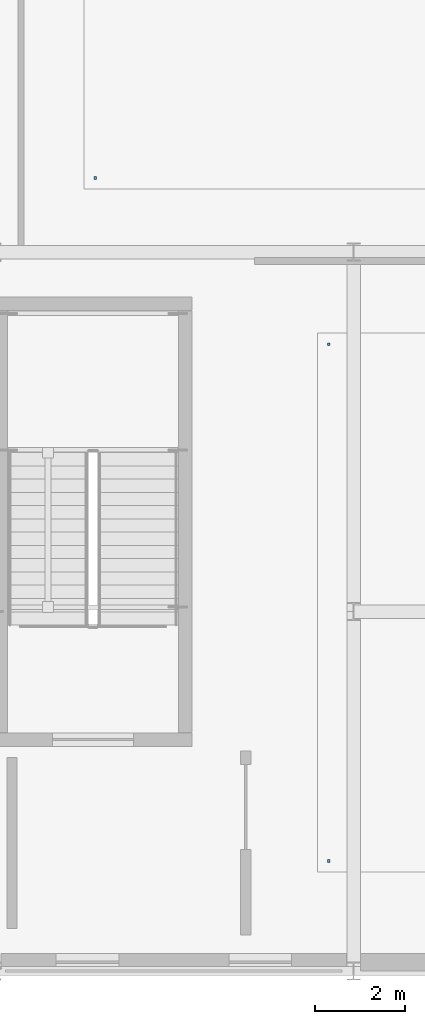
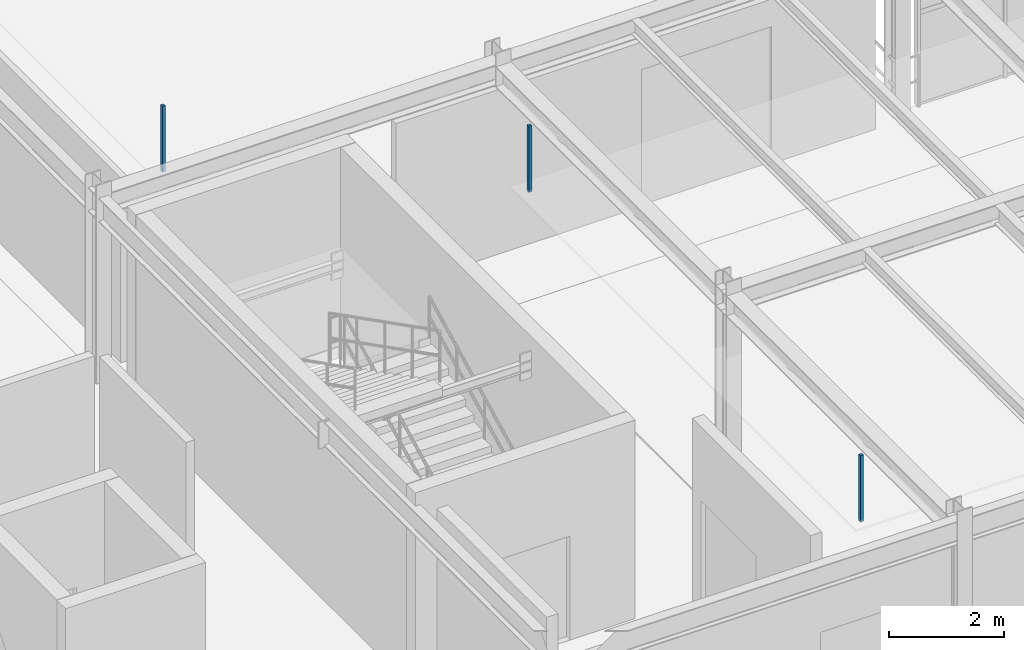
# One storey, part 47 of 67: 3 discrete accessories.
"""IFC4 building model written with IfcOpenShell, lengths in metres."""

from ifc_helpers import new_model, si_unit, direction, frame, origin, origin_2d, place, context, subcontext, project, spatial, rectangle, extrude, material, type_object, element, save


model = new_model("IFC4")

# Units and contexts
model_context = context("Model", 3, precision=1e-05, world=origin(), true_north=direction((0.0, 1.0)))
body_context = subcontext(model_context, "Body", "Model", "MODEL_VIEW")
ifc_project = project(units=[si_unit("LENGTHUNIT", "METRE"), si_unit("AREAUNIT", "SQUARE_METRE"), si_unit("VOLUMEUNIT", "CUBIC_METRE"), si_unit("PLANEANGLEUNIT", "RADIAN"), si_unit("MASSUNIT", "GRAM", prefix="KILO")], contexts=[model_context])

# Site, building, storey
site_placement = place(None, origin())
site = spatial("IfcSite", under=ifc_project, at=site_placement, CompositionType="ELEMENT")
building_placement = place(site_placement, origin())
building = spatial("IfcBuilding", under=site, at=building_placement, Name="Sundkrona Museum", CompositionType="ELEMENT")
storey_placement = place(building_placement, frame((0.0, 0.0, 21.800048828125)))
storey = spatial("IfcBuildingStorey", under=building, at=storey_placement, Name="L04", CompositionType="ELEMENT", Elevation=21.800048828125)

# Discrete accessories
ifc_material = material(Name="Stainless Steel EN 1.4404 Cleat", Category="steel")
discrete_accessory_type = type_object("IfcDiscreteAccessoryType", Name="BRK-FIN-01", PredefinedType="BRACKET", material=ifc_material)
for number, where, z_axis, x_axis, name in (
    (1, (127.449951171875, 2.449951171875, 2.550048828125), (0.0, 0.0, 1.0), (1.0, 0.0, 0.0), "L04 Nordic Landscape Painting Gallery Ceiling Hanger 1"),
    (2, (127.449951171875, 13.949951171875, 2.550048828125), (0.0, 0.0, 1.0), (1.0, 0.0, 0.0), "L04 Nordic Landscape Painting Gallery Ceiling Hanger 4"),
    (3, (122.25, 17.64990234375, 2.550048828125), (0.0, 0.0, 1.0), (1.0, 0.0, 0.0), "L04 Baltic Modernism Cabinet Ceiling Hanger 1"),
):
    element("IfcDiscreteAccessory", number, at=place(storey_placement, frame(where, z_axis=z_axis, x_axis=x_axis)), inside=storey, type_object=discrete_accessory_type, Name=name, PredefinedType="BRACKET", context=body_context, shape_type="SweptSolid", body=[
        extrude(rectangle(XDim=0.06005859375, YDim=0.06005859375, at=origin_2d()), origin(), (0.0, 0.0, 1.0), 1.39990234375),
    ])

save(model, "model.ifc")
